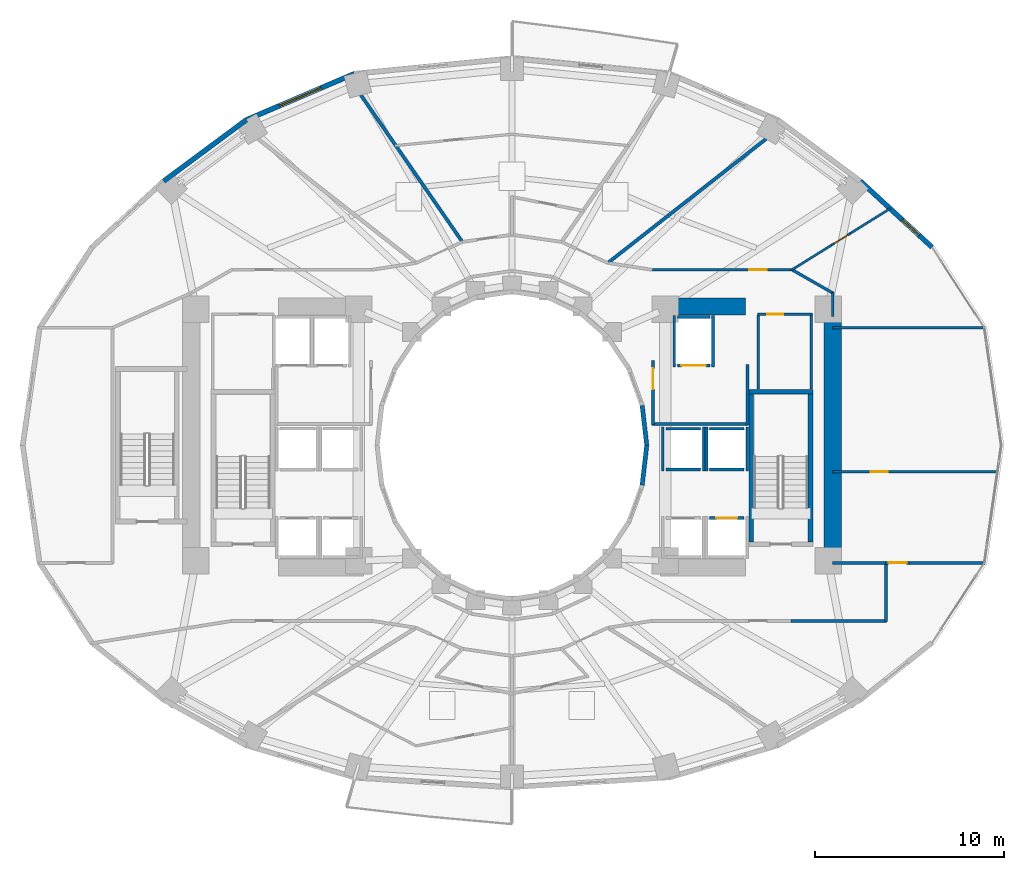
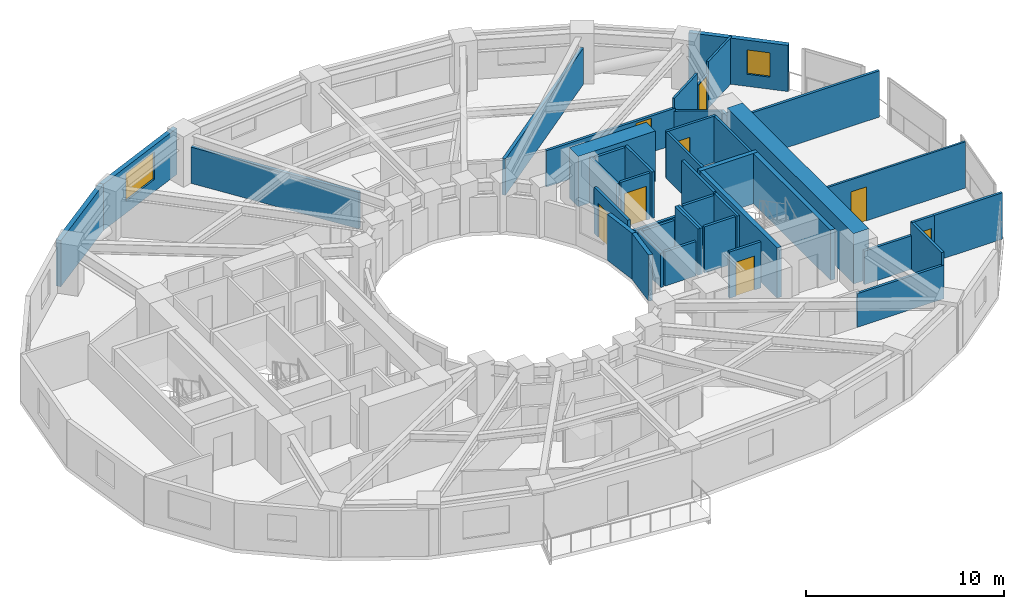
# One storey, part 10 of 14: 44 walls, 8 doors, 2 windows, 10 openings.
"""IFC4 building model written with IfcOpenShell, lengths in metres."""

from ifc_helpers import new_model, si_unit, direction, frame, frame_2d, origin, place, context, subcontext, project, spatial, rectangle, extrude, material, layer, layer_set, type_object, element, fill, save


model = new_model("IFC4")

# Units and contexts
model_context = context("Model", 3, precision=1e-05, world=origin(), true_north=direction((0.0, 1.0)))
body_context = subcontext(model_context, "Body", "Model", "MODEL_VIEW")
ifc_project = project(units=[si_unit("LENGTHUNIT", "METRE"), si_unit("AREAUNIT", "SQUARE_METRE"), si_unit("VOLUMEUNIT", "CUBIC_METRE"), si_unit("PLANEANGLEUNIT", "RADIAN"), si_unit("MASSUNIT", "GRAM", prefix="KILO")], contexts=[model_context])

# Site, building, storey
site_placement = place(None, origin())
site = spatial("IfcSite", under=ifc_project, at=site_placement, CompositionType="ELEMENT")
building_placement = place(site_placement, origin())
building = spatial("IfcBuilding", under=site, at=building_placement, Name="Solvane Sanctuary Tower", CompositionType="ELEMENT")
storey_placement = place(building_placement, frame((0.0, 0.0, 40.0)))
storey = spatial("IfcBuildingStorey", under=building, at=storey_placement, Name="L11", CompositionType="ELEMENT", Elevation=40.0)

# Walls
ifc_material_1 = material(Name="Concrete C70/85", Category="concrete")
ifc_layer_1 = layer(ifc_material_1, 0.89990234375, Name="Concrete C70/85")
ifc_layer_set_1 = layer_set([ifc_layer_1], Name="Concrete C70/85")
wall_type_1 = type_object("IfcWallType", Name="Wall W-CORE-900", PredefinedType="SHEAR", material=ifc_layer_set_1)
wall_1_placement = place(storey_placement, frame((48.949951171875, 17.050048828125, 0.0), z_axis=(0.0, 0.0, 1.0), x_axis=(0.0, 1.0, 0.0)))
element("IfcWall", 1, at=wall_1_placement, inside=storey, type_object=wall_type_1, Name="L11 Core Shear Wall EC-E", PredefinedType="SHEAR", context=body_context, shape_type="SweptSolid", body=[
    extrude(rectangle(XDim=12.800048828125, YDim=0.89990234375, at=frame_2d((6.39990234375, 0.0))), origin(), (0.0, 0.0, 1.0), 3.10009765625),
])
wall_2_placement = place(storey_placement, frame((39.85009765625, 30.35009765625, 0.0), z_axis=(0.0, 0.0, 1.0), x_axis=(1.0, 0.0, 0.0)))
element("IfcWall", 2, at=wall_2_placement, inside=storey, type_object=wall_type_1, Name="L11 Core Shear Wall EC-N", PredefinedType="SHEAR", context=body_context, shape_type="SweptSolid", body=[
    extrude(rectangle(XDim=4.5, YDim=0.89990234375, at=frame_2d((2.25, 0.0))), origin(), (0.0, 0.0, 1.0), 3.10009765625),
])
ifc_material_2 = material(Name="Acoustic Gypsum Partition Board")
ifc_layer_2 = layer(ifc_material_2, 0.14990234375, Name="Acoustic Gypsum Partition Board")
ifc_layer_set_2 = layer_set([ifc_layer_2], Name="Acoustic Gypsum Partition Board")
wall_type_2 = type_object("IfcWallType", Name="Wall W-CORR-150", PredefinedType="PARTITIONING", material=ifc_layer_set_2)
wall_3_placement = place(storey_placement, frame((39.39990234375, 24.1201171875, 0.0), z_axis=(0.0, 0.0, 1.0), x_axis=(1.0, 0.0, 0.0)))
element("IfcWall", 3, at=wall_3_placement, inside=storey, type_object=wall_type_2, Name="L11 East Firefighting Lobby South Wall", PredefinedType="PARTITIONING", context=body_context, shape_type="SweptSolid", body=[
    extrude(rectangle(XDim=5.080078125, YDim=0.14990234375, at=frame_2d((2.5400390625, 0.0))), origin(), (0.0, 0.0, 1.0), 2.1201171875),
])
wall_4_placement = place(storey_placement, frame((44.449951171875, 24.080078125, 0.0), z_axis=(0.0, 0.0, 1.0), x_axis=(0.0, 1.0, 0.0)))
element("IfcWall", 4, at=wall_4_placement, inside=storey, type_object=wall_type_2, Name="L11 East Firefighting Lobby East Wall", PredefinedType="PARTITIONING", context=body_context, shape_type="SweptSolid", body=[
    extrude(rectangle(XDim=3.199951171875, YDim=0.14990234375, at=frame_2d((1.60009765625, 0.0))), origin(), (0.0, 0.0, 1.0), 2.85498046875),
])

# Wall, opening, door
wall_5_placement = place(storey_placement, frame((39.449951171875, 24.080078125, 0.0), z_axis=(0.0, 0.0, 1.0), x_axis=(0.0, 1.0, 0.0)))
wall_5 = element("IfcWall", 5, at=wall_5_placement, inside=storey, type_object=wall_type_2, Name="L11 East Firefighting Lobby West Wall", PredefinedType="PARTITIONING", context=body_context, shape_type="SweptSolid", body=[
    extrude(rectangle(XDim=3.39990234375, YDim=0.14990234375, at=frame_2d((1.699951171875, 0.0))), origin(), (0.0, 0.0, 1.0), 2.85498046875),
])
opening_1_placement = place(wall_5_placement, frame((1.893798828125, 0.0, 0.0)))
opening_1 = element("IfcOpeningElement", 6, at=opening_1_placement, cuts=wall_5, Name="Opening D-L11-07", PredefinedType="OPENING", context=body_context, shape_type="SweptSolid", body=[
    extrude(rectangle(XDim=1.10009765625, YDim=2.10009765625, at=frame_2d((0.550048828125, 1.050048828125))), frame((0.0, 0.0849609375, 0.0), z_axis=(0.0, -1.0, 0.0), x_axis=(1.0, 0.0, 0.0)), (0.0, 0.0, 1.0), 0.169921875),
])
ifc_material_3 = material(Name="Architectural Stainless Steel 316", Category="steel")
door_type_1 = type_object("IfcDoorType", Name="Door D-FFL", OperationType="NOTDEFINED", PredefinedType="DOOR", material=ifc_material_3)
door_1_placement = place(opening_1_placement, origin())
door_1 = element("IfcDoor", 7, at=door_1_placement, inside=storey, type_object=door_type_1, Name="L11 East Firefighting Lobby Fire Door", OperationType="SINGLE_SWING_LEFT", OverallHeight=2.10009765625, OverallWidth=1.10009765625, PredefinedType="DOOR", context=body_context, shape_type="SweptSolid", body=[
    extrude(rectangle(XDim=1.10009765625, YDim=2.10009765625, at=frame_2d((0.550048828125, 1.050048828125))), frame((0.0, 0.02490234375, 0.0), z_axis=(0.0, -1.0, 0.0), x_axis=(1.0, 0.0, 0.0)), (0.0, 0.0, 1.0), 0.050048828125),
])
fill(opening_1, door_1)

# Wall
wall_6_placement = place(storey_placement, frame((48.949951171875, 16.788330078125, 0.0), z_axis=(0.0, 0.0, 1.0), x_axis=(1.0, 0.0, 0.0)))
element("IfcWall", 8, at=wall_6_placement, inside=storey, type_object=wall_type_2, Name="L11 East Shoulder South Wall", PredefinedType="PARTITIONING", context=body_context, shape_type="SweptSolid", body=[
    extrude(rectangle(XDim=2.79296875, YDim=0.14990234375, at=frame_2d((1.396484375, 0.0))), origin(), (0.0, 0.0, 1.0), 2.069091796875),
])

# Wall, opening, door
wall_7_placement = place(storey_placement, frame((51.742919921875, 16.788330078125, 0.0), z_axis=(0.0, 0.0, 1.0), x_axis=(1.0, 0.0, 0.0)))
wall_7 = element("IfcWall", 9, at=wall_7_placement, inside=storey, type_object=wall_type_2, Name="L11 East Shoulder South Wall", PredefinedType="PARTITIONING", context=body_context, shape_type="SweptSolid", body=[
    extrude(rectangle(XDim=1.27001953125, YDim=0.14990234375, at=frame_2d((0.635009765625, 0.0))), origin(), (0.0, 0.0, 1.0), 2.85498046875),
])
opening_2_placement = place(wall_7_placement, frame((0.159912109375, 0.0, 0.0)))
opening_2 = element("IfcOpeningElement", 10, at=opening_2_placement, cuts=wall_7, Name="Opening D-L11-10", PredefinedType="OPENING", context=body_context, shape_type="SweptSolid", body=[
    extrude(rectangle(XDim=0.949951171875, YDim=2.10009765625, at=frame_2d((0.47509765625, 1.050048828125))), frame((0.0, 0.0849609375, 0.0), z_axis=(0.0, -1.0, 0.0), x_axis=(1.0, 0.0, 0.0)), (0.0, 0.0, 1.0), 0.169921875),
])
ifc_material_4 = material(Name="Engineered Tropical Hardwood", Category="wood")
door_type_2 = type_object("IfcDoorType", Name="Door D-ROOM-950", OperationType="NOTDEFINED", PredefinedType="DOOR", material=ifc_material_4)
door_2_placement = place(opening_2_placement, origin())
door_2 = element("IfcDoor", 11, at=door_2_placement, inside=storey, type_object=door_type_2, Name="L11 East Shoulder South Door", OperationType="SINGLE_SWING_RIGHT", OverallHeight=2.10009765625, OverallWidth=0.949951171875, PredefinedType="DOOR", context=body_context, shape_type="SweptSolid", body=[
    extrude(rectangle(XDim=0.949951171875, YDim=2.10009765625, at=frame_2d((0.47509765625, 1.050048828125))), frame((0.0, 0.02490234375, 0.0), z_axis=(0.0, -1.0, 0.0), x_axis=(1.0, 0.0, 0.0)), (0.0, 0.0, 1.0), 0.050048828125),
])
fill(opening_2, door_2)

# Walls
wall_8_placement = place(storey_placement, frame((53.012939453125, 16.788330078125, 0.0), z_axis=(0.0, 0.0, 1.0), x_axis=(1.0, 0.0, 0.0)))
element("IfcWall", 12, at=wall_8_placement, inside=storey, type_object=wall_type_2, Name="L11 East Shoulder South Wall", PredefinedType="PARTITIONING", context=body_context, shape_type="SweptSolid", body=[
    extrude(rectangle(XDim=3.973388671875, YDim=0.14990234375, at=frame_2d((1.98681640625, 0.0))), origin(), (0.0, 0.0, 1.0), 2.85498046875),
])
wall_9_placement = place(storey_placement, frame((48.949951171875, 29.211669921875, 0.0), z_axis=(0.0, 0.0, 1.0), x_axis=(1.0, 0.0, 0.0)))
element("IfcWall", 13, at=wall_9_placement, inside=storey, type_object=wall_type_2, Name="L11 East Shoulder North Wall", PredefinedType="PARTITIONING", context=body_context, shape_type="SweptSolid", body=[
    extrude(rectangle(XDim=8.036376953125, YDim=0.14990234375, at=frame_2d((4.01806640625, 0.0))), origin(), (0.0, 0.0, 1.0), 2.85498046875),
])
wall_10_placement = place(storey_placement, frame((48.949951171875, 29.800048828125, 0.0), z_axis=(0.0, 0.0, 1.0), x_axis=(0.0, 1.0, 0.0)))
element("IfcWall", 14, at=wall_10_placement, inside=storey, type_object=wall_type_2, Name="L11 NE Corner Closer 1", PredefinedType="PARTITIONING", context=body_context, shape_type="SweptSolid", body=[
    extrude(rectangle(XDim=1.2900390625, YDim=0.14990234375, at=frame_2d((0.64501953125, 0.0))), origin(), (0.0, 0.0, 1.0), 2.069091796875),
])

# Wall, opening, door
wall_11_placement = place(storey_placement, frame((39.330078125, 32.280029296875, 0.0), z_axis=(0.0, 0.0, 1.0), x_axis=(1.0, 0.0, 0.0)))
wall_11 = element("IfcWall", 15, at=wall_11_placement, inside=storey, type_object=wall_type_2, Name="L11 NE Corner Corridor Wall", PredefinedType="PARTITIONING", context=body_context, shape_type="SweptSolid", body=[
    extrude(rectangle(XDim=7.52001953125, YDim=0.14990234375, at=frame_2d((3.760009765625, 0.0))), origin(), (0.0, 0.0, 1.0), 2.237060546875),
])
opening_3_placement = place(wall_11_placement, frame((5.219970703125, 0.0, 0.0)))
opening_3 = element("IfcOpeningElement", 16, at=opening_3_placement, cuts=wall_11, Name="Opening D-L11-14", PredefinedType="OPENING", context=body_context, shape_type="SweptSolid", body=[
    extrude(rectangle(XDim=0.89990234375, YDim=2.10009765625, at=frame_2d((0.449951171875, 1.050048828125))), frame((0.0, 0.0849609375, 0.0), z_axis=(0.0, -1.0, 0.0), x_axis=(1.0, 0.0, 0.0)), (0.0, 0.0, 1.0), 0.169921875),
])
door_type_3 = type_object("IfcDoorType", Name="Door D-WET-900", OperationType="NOTDEFINED", PredefinedType="DOOR", material=ifc_material_4)
door_3_placement = place(opening_3_placement, origin())
door_3 = element("IfcDoor", 17, at=door_3_placement, inside=storey, type_object=door_type_3, Name="L11 NE Corner Salon Door", OperationType="SINGLE_SWING_RIGHT", OverallHeight=2.10009765625, OverallWidth=0.89990234375, PredefinedType="DOOR", context=body_context, shape_type="SweptSolid", body=[
    extrude(rectangle(XDim=0.89990234375, YDim=2.10009765625, at=frame_2d((0.449951171875, 1.050048828125))), frame((0.0, 0.02490234375, 0.0), z_axis=(0.0, -1.0, 0.0), x_axis=(1.0, 0.0, 0.0)), (0.0, 0.0, 1.0), 0.050048828125),
])
fill(opening_3, door_3)

# Walls
wall_12_placement = place(storey_placement, frame((46.756591796875, 32.3046875, 0.0), z_axis=(0.0, 0.0, 1.0), x_axis=(0.867991349648, -0.496579315857, 0.0)))
element("IfcWall", 18, at=wall_12_placement, inside=storey, type_object=wall_type_2, Name="L11 NE Corner Wing Wall", PredefinedType="PARTITIONING", context=body_context, shape_type="SweptSolid", body=[
    extrude(rectangle(XDim=2.56689453125, YDim=0.14990234375, at=frame_2d((1.283447265625, 0.0))), origin(), (0.0, 0.0, 1.0), 2.069091796875),
])
wall_13_placement = place(storey_placement, frame((51.760009765625, 13.679931640625, 0.0), z_axis=(0.0, 0.0, 1.0), x_axis=(0.0, 1.0, 0.0)))
element("IfcWall", 19, at=wall_13_placement, inside=storey, type_object=wall_type_2, Name="L11 SE Corner Closer 1", PredefinedType="PARTITIONING", context=body_context, shape_type="SweptSolid", body=[
    extrude(rectangle(XDim=3.1484375, YDim=0.14990234375, at=frame_2d((1.57421875, 0.0))), origin(), (0.0, 0.0, 1.0), 2.85498046875),
])
wall_14_placement = place(storey_placement, frame((46.75, 13.719970703125, 0.0), z_axis=(0.0, 0.0, 1.0), x_axis=(1.0, 0.0, 0.0)))
element("IfcWall", 20, at=wall_14_placement, inside=storey, type_object=wall_type_2, Name="L11 SE Corner Wing Wall", PredefinedType="PARTITIONING", context=body_context, shape_type="SweptSolid", body=[
    extrude(rectangle(XDim=5.050048828125, YDim=0.14990234375, at=frame_2d((2.52490234375, 0.0))), origin(), (0.0, 0.0, 1.0), 2.069091796875),
])

# Wall, opening, window
ifc_material_5 = material(Name="Precast concrete C40/50", Category="concrete")
ifc_layer_3 = layer(ifc_material_5, 0.260009765625, Name="Precast concrete C40/50")
ifc_layer_set_3 = layer_set([ifc_layer_3], Name="Precast concrete C40/50")
wall_type_3 = type_object("IfcWallType", Name="Wall W-EXT-250", PredefinedType="STANDARD", material=ifc_layer_set_3)
wall_15_placement = place(storey_placement, frame((54.19384765625, 33.4755859375, 0.0), z_axis=(0.0, 0.0, 1.0), x_axis=(-0.735655109293, 0.67735630223, 0.0)))
wall_15 = element("IfcWall", 21, at=wall_15_placement, inside=storey, type_object=wall_type_3, Name="L11 Ceramic-Printed Facade Wall 02", PredefinedType="STANDARD", context=body_context, shape_type="SweptSolid", body=[
    extrude(rectangle(XDim=5.15087890625, YDim=0.260009765625, at=frame_2d((2.575439453125, 0.0))), origin(), (0.0, 0.0, 1.0), 2.85009765625),
])
opening_4_placement = place(wall_15_placement, frame((0.9287109375, 0.0, 0.75)))
opening_4 = element("IfcOpeningElement", 22, at=opening_4_placement, cuts=wall_15, Name="Opening WN-OPER-1200", PredefinedType="OPENING", context=body_context, shape_type="SweptSolid", body=[
    extrude(rectangle(XDim=1.199951171875, YDim=1.5, at=frame_2d((0.60009765625, 0.75))), frame((0.0, 0.139892578125, 0.0), z_axis=(0.0, -1.0, 0.0), x_axis=(1.0, 0.0, 0.0)), (0.0, 0.0, 1.0), 0.280029296875),
])
ifc_material_6 = material(Name="Dark Ceramic-Fritted Low-E Glass", Category="glass")
window_type_1 = type_object("IfcWindowType", Name="Window WN-OPER-1200", PartitioningType="SINGLE_PANEL", PredefinedType="WINDOW", material=ifc_material_6)
window_1_placement = place(opening_4_placement, origin())
window_1 = element("IfcWindow", 23, at=window_1_placement, inside=storey, type_object=window_type_1, Name="L11 Operable Facade Window 02", OverallHeight=1.5, OverallWidth=1.199951171875, PartitioningType="SINGLE_PANEL", PredefinedType="WINDOW", context=body_context, shape_type="SweptSolid", body=[
    extrude(rectangle(XDim=1.199951171875, YDim=1.5, at=frame_2d((0.60009765625, 0.75))), frame((0.0, 0.030029296875, 0.0), z_axis=(0.0, -1.0, 0.0), x_axis=(1.0, 0.0, 0.0)), (0.0, 0.0, 1.0), 0.06005859375),
])
fill(opening_4, window_1)

wall_16_placement = place(storey_placement, frame((23.668212890625, 42.63623046875, 0.0), z_axis=(0.0, 0.0, 1.0), x_axis=(-0.919612132394, -0.39282760335, 0.0)))
wall_16 = element("IfcWall", 24, at=wall_16_placement, inside=storey, type_object=wall_type_3, Name="L11 Ceramic-Printed Facade Wall 07", PredefinedType="STANDARD", context=body_context, shape_type="SweptSolid", body=[
    extrude(rectangle(XDim=6.20947265625, YDim=0.260009765625, at=frame_2d((3.104736328125, 0.0))), origin(), (0.0, 0.0, 1.0), 2.85009765625),
])
opening_5_placement = place(wall_16_placement, frame((1.90478515625, 0.0, 0.75)))
opening_5 = element("IfcOpeningElement", 25, at=opening_5_placement, cuts=wall_16, Name="Opening WN-RIB-2400", PredefinedType="OPENING", context=body_context, shape_type="SweptSolid", body=[
    extrude(rectangle(XDim=2.39990234375, YDim=1.699951171875, at=frame_2d((1.199951171875, 0.85009765625))), frame((0.0, 0.139892578125, 0.0), z_axis=(0.0, -1.0, 0.0), x_axis=(1.0, 0.0, 0.0)), (0.0, 0.0, 1.0), 0.280029296875),
])
window_type_2 = type_object("IfcWindowType", Name="Window WN-RIB-2400", PartitioningType="SINGLE_PANEL", PredefinedType="WINDOW", material=ifc_material_6)
window_2_placement = place(opening_5_placement, origin())
window_2 = element("IfcWindow", 26, at=window_2_placement, inside=storey, type_object=window_type_2, Name="L11 Operable Facade Window 07", OverallHeight=1.699951171875, OverallWidth=2.39990234375, PartitioningType="SINGLE_PANEL", PredefinedType="WINDOW", context=body_context, shape_type="SweptSolid", body=[
    extrude(rectangle(XDim=2.39990234375, YDim=1.699951171875, at=frame_2d((1.199951171875, 0.85009765625))), frame((0.0, 0.030029296875, 0.0), z_axis=(0.0, -1.0, 0.0), x_axis=(1.0, 0.0, 0.0)), (0.0, 0.0, 1.0), 0.06005859375),
])
fill(opening_5, window_2)

# Walls
wall_17_placement = place(storey_placement, frame((17.9580078125, 40.197021484375, 0.0), z_axis=(0.0, 0.0, 1.0), x_axis=(-0.803477531792, -0.595335078679, 0.0)))
element("IfcWall", 27, at=wall_17_placement, inside=storey, type_object=wall_type_3, Name="L11 Ceramic-Printed Facade Wall 08", PredefinedType="STANDARD", context=body_context, shape_type="SweptSolid", body=[
    extrude(rectangle(XDim=5.4296875, YDim=0.260009765625, at=frame_2d((2.71484375, 0.0))), origin(), (0.0, 0.0, 1.0), 2.85009765625),
])
ifc_layer_4 = layer(ifc_material_5, 0.22998046875, Name="Precast concrete C40/50")
ifc_layer_set_4 = layer_set([ifc_layer_4], Name="Precast concrete C40/50")
wall_type_4 = type_object("IfcWallType", Name="Wall W-EXT-SP220", PredefinedType="STANDARD", material=ifc_layer_set_4)
for number, where, z_axis, x_axis, name in (
    (28, (39.1201171875, 23.0, 0.0), (0.0, 0.0, 1.0), (-0.114711713601, 0.993398823617, 0.0), "L11 Central Light-Well Wall 00"),
    (29, (38.87744140625, 20.8984375, 0.0), (0.0, 0.0, 1.0), (0.114711713601, 0.993398823617, 0.0), "L11 Central Light-Well Wall 23"),
):
    element("IfcWall", number, at=place(storey_placement, frame(where, z_axis=z_axis, x_axis=x_axis)), inside=storey, type_object=wall_type_4, Name=name, PredefinedType="STANDARD", context=body_context, shape_type="SweptSolid", body=[
        extrude(rectangle(XDim=2.115478515625, YDim=0.22998046875, at=frame_2d((1.0576171875, 0.0))), origin(), (0.0, 0.0, 1.0), 2.840087890625),
    ])

# Wall, opening, door
ifc_layer_5 = layer(ifc_material_2, 0.1201171875, Name="Acoustic Gypsum Partition Board")
ifc_layer_set_5 = layer_set([ifc_layer_5], Name="Acoustic Gypsum Partition Board")
wall_type_5 = type_object("IfcWallType", Name="Wall W-MOV-100", PredefinedType="MOVABLE", material=ifc_layer_set_5)
wall_18_placement = place(storey_placement, frame((48.949951171875, 21.60009765625, 0.0), z_axis=(0.0, 0.0, 1.0), x_axis=(1.0, 0.0, 0.0)))
wall_18 = element("IfcWall", 30, at=wall_18_placement, inside=storey, type_object=wall_type_5, Name="L11 East Suite Partition", PredefinedType="MOVABLE", context=body_context, shape_type="SweptSolid", body=[
    extrude(rectangle(XDim=8.668701171875, YDim=0.1201171875, at=frame_2d((4.33447265625, 0.0))), origin(), (0.0, 0.0, 1.0), 2.85498046875),
])
opening_6_placement = place(wall_18_placement, frame((2.0, 0.0, 0.0)))
opening_6 = element("IfcOpeningElement", 31, at=opening_6_placement, cuts=wall_18, Name="Opening D-L11-11", PredefinedType="OPENING", context=body_context, shape_type="SweptSolid", body=[
    extrude(rectangle(XDim=0.89990234375, YDim=2.10009765625, at=frame_2d((0.449951171875, 1.050048828125))), frame((0.0, 0.070068359375, 0.0), z_axis=(0.0, -1.0, 0.0), x_axis=(1.0, 0.0, 0.0)), (0.0, 0.0, 1.0), 0.14013671875),
])
door_4_placement = place(opening_6_placement, origin())
door_4 = element("IfcDoor", 32, at=door_4_placement, inside=storey, type_object=door_type_3, Name="L11 East Suite Internal Door", OperationType="SINGLE_SWING_LEFT", OverallHeight=2.10009765625, OverallWidth=0.89990234375, PredefinedType="DOOR", context=body_context, shape_type="SweptSolid", body=[
    extrude(rectangle(XDim=0.89990234375, YDim=2.10009765625, at=frame_2d((0.449951171875, 1.050048828125))), frame((0.0, 0.02490234375, 0.0), z_axis=(0.0, -1.0, 0.0), x_axis=(1.0, 0.0, 0.0)), (0.0, 0.0, 1.0), 0.050048828125),
])
fill(opening_6, door_4)

# Wall
wall_19_placement = place(storey_placement, frame((46.757568359375, 32.25341796875, 0.0), z_axis=(0.0, 0.0, 1.0), x_axis=(0.848408422278, 0.529342185177, 0.0)))
element("IfcWall", 33, at=wall_19_placement, inside=storey, type_object=wall_type_5, Name="L11 NE Corner Suite Partition", PredefinedType="MOVABLE", context=body_context, shape_type="SweptSolid", body=[
    extrude(rectangle(XDim=2.506591796875, YDim=0.1201171875, at=frame_2d((1.25341796875, 0.0))), origin(), (0.0, 0.0, 1.0), 2.85498046875),
])

# Wall, opening, door
wall_20_placement = place(storey_placement, frame((48.88427734375, 33.580322265625, 0.0), z_axis=(0.0, 0.0, 1.0), x_axis=(0.848396621262, 0.529361098903, 0.0)))
wall_20 = element("IfcWall", 34, at=wall_20_placement, inside=storey, type_object=wall_type_5, Name="L11 NE Corner Suite Partition", PredefinedType="MOVABLE", context=body_context, shape_type="SweptSolid", body=[
    extrude(rectangle(XDim=1.170166015625, YDim=0.1201171875, at=frame_2d((0.5849609375, 0.0))), origin(), (0.0, 0.0, 1.0), 2.110107421875),
])
opening_7_placement = place(wall_20_placement, frame((0.159912109375, 0.0, 0.0)))
opening_7 = element("IfcOpeningElement", 35, at=opening_7_placement, cuts=wall_20, Name="Opening D-L11-13", PredefinedType="OPENING", context=body_context, shape_type="SweptSolid", body=[
    extrude(rectangle(XDim=0.85009765625, YDim=2.050048828125, at=frame_2d((0.425048828125, 1.02490234375))), frame((0.0, 0.070068359375, 0.0), z_axis=(0.0, -1.0, 0.0), x_axis=(1.0, 0.0, 0.0)), (0.0, 0.0, 1.0), 0.14013671875),
])
door_type_4 = type_object("IfcDoorType", Name="Door D-RISER", OperationType="NOTDEFINED", PredefinedType="DOOR", material=ifc_material_3)
door_5_placement = place(opening_7_placement, origin())
door_5 = element("IfcDoor", 36, at=door_5_placement, inside=storey, type_object=door_type_4, Name="L11 NE Corner Suite Door", OperationType="SINGLE_SWING_LEFT", OverallHeight=2.050048828125, OverallWidth=0.85009765625, PredefinedType="DOOR", context=body_context, shape_type="SweptSolid", body=[
    extrude(rectangle(XDim=0.85009765625, YDim=2.050048828125, at=frame_2d((0.425048828125, 1.02490234375))), frame((0.0, 0.02490234375, 0.0), z_axis=(0.0, -1.0, 0.0), x_axis=(1.0, 0.0, 0.0)), (0.0, 0.0, 1.0), 0.050048828125),
])
fill(opening_7, door_5)

# Wall
wall_21_placement = place(storey_placement, frame((49.876953125, 34.19970703125, 0.0), z_axis=(0.0, 0.0, 1.0), x_axis=(0.848424873637, 0.529315816687, 0.0)))
element("IfcWall", 37, at=wall_21_placement, inside=storey, type_object=wall_type_5, Name="L11 NE Corner Suite Partition", PredefinedType="MOVABLE", context=body_context, shape_type="SweptSolid", body=[
    extrude(rectangle(XDim=2.50634765625, YDim=0.1201171875, at=frame_2d((1.253173828125, 0.0))), origin(), (0.0, 0.0, 1.0), 2.85498046875),
])

# Wall, opening, door
ifc_material_7 = material(Name="Concrete C50/60", Category="concrete")
ifc_layer_6 = layer(ifc_material_7, 0.14990234375, Name="Concrete C50/60")
ifc_layer_set_6 = layer_set([ifc_layer_6], Name="Concrete C50/60")
wall_type_6 = type_object("IfcWallType", Name="Wall W-SHAFT-150", PredefinedType="SOLIDWALL", material=ifc_layer_set_6)
wall_22_placement = place(storey_placement, frame((42.43994140625, 19.159912109375, 0.0), z_axis=(0.0, 0.0, 1.0), x_axis=(1.0, 0.0, 0.0)))
wall_22 = element("IfcWall", 38, at=wall_22_placement, inside=storey, type_object=wall_type_6, Name="L11 PL-4 Lift Shaft Wall F", PredefinedType="SOLIDWALL", context=body_context, shape_type="SweptSolid", body=[
    extrude(rectangle(XDim=1.820068359375, YDim=0.14990234375, at=frame_2d((0.91015625, 0.0))), origin(), (0.0, 0.0, 1.0), 2.85498046875),
])
opening_8_placement = place(wall_22_placement, frame((0.360107421875, 0.0, 0.0)))
opening_8 = element("IfcOpeningElement", 39, at=opening_8_placement, cuts=wall_22, Name="Opening LD-L11-04", PredefinedType="OPENING", context=body_context, shape_type="SweptSolid", body=[
    extrude(rectangle(XDim=1.10009765625, YDim=2.10009765625, at=frame_2d((0.550048828125, 1.050048828125))), frame((0.0, 0.0849609375, 0.0), z_axis=(0.0, -1.0, 0.0), x_axis=(1.0, 0.0, 0.0)), (0.0, 0.0, 1.0), 0.169921875),
])
door_type_5 = type_object("IfcDoorType", Name="Door LD-PASS-1100", OperationType="NOTDEFINED", PredefinedType="DOOR", material=ifc_material_3)
door_6_placement = place(opening_8_placement, origin())
door_6 = element("IfcDoor", 40, at=door_6_placement, inside=storey, type_object=door_type_5, Name="L11 PL-4 Lift Landing Door", OperationType="DOUBLE_DOOR_SLIDING", OverallHeight=2.10009765625, OverallWidth=1.10009765625, PredefinedType="DOOR", context=body_context, shape_type="SweptSolid", body=[
    extrude(rectangle(XDim=1.10009765625, YDim=2.10009765625, at=frame_2d((0.550048828125, 1.050048828125))), frame((0.0, 0.02490234375, 0.0), z_axis=(0.0, -1.0, 0.0), x_axis=(1.0, 0.0, 0.0)), (0.0, 0.0, 1.0), 0.050048828125),
])
fill(opening_8, door_6)

# Walls
for number, where, z_axis, x_axis, name in (
    (41, (42.43994140625, 21.719970703125, 0.0), (0.0, 0.0, 1.0), (1.0, 0.0, 0.0), "L11 PM-2 Lift Shaft Wall F"),
    (42, (42.43994140625, 23.8798828125, 0.0), (0.0, 0.0, 1.0), (1.0, 0.0, 0.0), "L11 PM-2 Lift Shaft Wall B"),
):
    element("IfcWall", number, at=place(storey_placement, frame(where, z_axis=z_axis, x_axis=x_axis)), inside=storey, type_object=wall_type_6, Name=name, PredefinedType="SOLIDWALL", context=body_context, shape_type="SweptSolid", body=[
        extrude(rectangle(XDim=1.820068359375, YDim=0.14990234375, at=frame_2d((0.91015625, 0.0))), origin(), (0.0, 0.0, 1.0), 2.85498046875),
    ])
for number, where, z_axis, x_axis, name in (
    (43, (42.27001953125, 21.639892578125, 0.0), (0.0, 0.0, 1.0), (0.0, 1.0, 0.0), "L11 PM-2 Lift Shaft Wall S1"),
    (44, (44.429931640625, 21.639892578125, 0.0), (0.0, 0.0, 1.0), (0.0, 1.0, 0.0), "L11 PM-2 Lift Shaft Wall S2"),
):
    element("IfcWall", number, at=place(storey_placement, frame(where, z_axis=z_axis, x_axis=x_axis)), inside=storey, type_object=wall_type_6, Name=name, PredefinedType="SOLIDWALL", context=body_context, shape_type="SweptSolid", body=[
        extrude(rectangle(XDim=2.320068359375, YDim=0.14990234375, at=frame_2d((1.16015625, 0.0))), origin(), (0.0, 0.0, 1.0), 2.85498046875),
    ])
for number, where, z_axis, x_axis, name in (
    (45, (40.139892578125, 21.719970703125, 0.0), (0.0, 0.0, 1.0), (1.0, 0.0, 0.0), "L11 PH-2 Lift Shaft Wall F"),
    (46, (40.139892578125, 23.8798828125, 0.0), (0.0, 0.0, 1.0), (1.0, 0.0, 0.0), "L11 PH-2 Lift Shaft Wall B"),
):
    element("IfcWall", number, at=place(storey_placement, frame(where, z_axis=z_axis, x_axis=x_axis)), inside=storey, type_object=wall_type_6, Name=name, PredefinedType="SOLIDWALL", context=body_context, shape_type="SweptSolid", body=[
        extrude(rectangle(XDim=1.820068359375, YDim=0.14990234375, at=frame_2d((0.91015625, 0.0))), origin(), (0.0, 0.0, 1.0), 2.1201171875),
    ])
wall_23_placement = place(storey_placement, frame((39.969970703125, 21.639892578125, 0.0), z_axis=(0.0, 0.0, 1.0), x_axis=(0.0, 1.0, 0.0)))
element("IfcWall", 47, at=wall_23_placement, inside=storey, type_object=wall_type_6, Name="L11 PH-2 Lift Shaft Wall S1", PredefinedType="SOLIDWALL", context=body_context, shape_type="SweptSolid", body=[
    extrude(rectangle(XDim=2.320068359375, YDim=0.14990234375, at=frame_2d((1.16015625, 0.0))), origin(), (0.0, 0.0, 1.0), 2.1201171875),
])
wall_24_placement = place(storey_placement, frame((42.1298828125, 21.639892578125, 0.0), z_axis=(0.0, 0.0, 1.0), x_axis=(0.0, 1.0, 0.0)))
element("IfcWall", 48, at=wall_24_placement, inside=storey, type_object=wall_type_6, Name="L11 PH-2 Lift Shaft Wall S2", PredefinedType="SOLIDWALL", context=body_context, shape_type="SweptSolid", body=[
    extrude(rectangle(XDim=2.320068359375, YDim=0.14990234375, at=frame_2d((1.16015625, 0.0))), origin(), (0.0, 0.0, 1.0), 2.85498046875),
])

# Wall, opening, door
wall_25_placement = place(storey_placement, frame((40.739990234375, 27.219970703125, 0.0), z_axis=(0.0, 0.0, 1.0), x_axis=(1.0, 0.0, 0.0)))
wall_25 = element("IfcWall", 49, at=wall_25_placement, inside=storey, type_object=wall_type_6, Name="L11 FFL-2 Lift Shaft Wall F", PredefinedType="SOLIDWALL", context=body_context, shape_type="SweptSolid", body=[
    extrude(rectangle(XDim=1.719970703125, YDim=0.14990234375, at=frame_2d((0.85986328125, 0.0))), origin(), (0.0, 0.0, 1.0), 2.85498046875),
])
opening_9_placement = place(wall_25_placement, frame((0.2099609375, 0.0, 0.0)))
opening_9 = element("IfcOpeningElement", 50, at=opening_9_placement, cuts=wall_25, Name="Opening LD-L11-07", PredefinedType="OPENING", context=body_context, shape_type="SweptSolid", body=[
    extrude(rectangle(XDim=1.300048828125, YDim=2.10009765625, at=frame_2d((0.64990234375, 1.050048828125))), frame((0.0, 0.0849609375, 0.0), z_axis=(0.0, -1.0, 0.0), x_axis=(1.0, 0.0, 0.0)), (0.0, 0.0, 1.0), 0.169921875),
])
door_type_6 = type_object("IfcDoorType", Name="Door LD-FFL-1300", OperationType="NOTDEFINED", PredefinedType="DOOR", material=ifc_material_3)
door_7_placement = place(opening_9_placement, origin())
door_7 = element("IfcDoor", 51, at=door_7_placement, inside=storey, type_object=door_type_6, Name="L11 FFL-2 Lift Landing Door", OperationType="DOUBLE_DOOR_SLIDING", OverallHeight=2.10009765625, OverallWidth=1.300048828125, PredefinedType="DOOR", context=body_context, shape_type="SweptSolid", body=[
    extrude(rectangle(XDim=1.300048828125, YDim=2.10009765625, at=frame_2d((0.64990234375, 1.050048828125))), frame((0.0, 0.02490234375, 0.0), z_axis=(0.0, -1.0, 0.0), x_axis=(1.0, 0.0, 0.0)), (0.0, 0.0, 1.0), 0.050048828125),
])
fill(opening_9, door_7)

# Walls
wall_26_placement = place(storey_placement, frame((40.739990234375, 29.780029296875, 0.0), z_axis=(0.0, 0.0, 1.0), x_axis=(1.0, 0.0, 0.0)))
element("IfcWall", 52, at=wall_26_placement, inside=storey, type_object=wall_type_6, Name="L11 FFL-2 Lift Shaft Wall B", PredefinedType="SOLIDWALL", context=body_context, shape_type="SweptSolid", body=[
    extrude(rectangle(XDim=1.719970703125, YDim=0.14990234375, at=frame_2d((0.85986328125, 0.0))), origin(), (0.0, 0.0, 1.0), 2.85498046875),
])
for number, where, z_axis, x_axis, name in (
    (53, (40.570068359375, 27.139892578125, 0.0), (0.0, 0.0, 1.0), (0.0, 1.0, 0.0), "L11 FFL-2 Lift Shaft Wall S1"),
    (54, (42.6298828125, 27.139892578125, 0.0), (0.0, 0.0, 1.0), (0.0, 1.0, 0.0), "L11 FFL-2 Lift Shaft Wall S2"),
):
    element("IfcWall", number, at=place(storey_placement, frame(where, z_axis=z_axis, x_axis=x_axis)), inside=storey, type_object=wall_type_6, Name=name, PredefinedType="SOLIDWALL", context=body_context, shape_type="SweptSolid", body=[
        extrude(rectangle(XDim=2.72021484375, YDim=0.14990234375, at=frame_2d((1.360107421875, 0.0))), origin(), (0.0, 0.0, 1.0), 2.85498046875),
    ])
ifc_layer_7 = layer(ifc_material_7, 0.25, Name="Concrete C50/60")
ifc_layer_set_7 = layer_set([ifc_layer_7], Name="Concrete C50/60")
wall_type_7 = type_object("IfcWallType", Name="Wall W-SHAFT-250", PredefinedType="SOLIDWALL", material=ifc_layer_set_7)
wall_27_placement = place(storey_placement, frame((44.52490234375, 25.830078125, 0.0), z_axis=(0.0, 0.0, 1.0), x_axis=(1.0, 0.0, 0.0)))
element("IfcWall", 55, at=wall_27_placement, inside=storey, type_object=wall_type_7, Name="L11 ST-2 Load-Bearing Shaft Wall N", PredefinedType="SOLIDWALL", context=body_context, shape_type="SweptSolid", body=[
    extrude(rectangle(XDim=3.3701171875, YDim=0.25, at=frame_2d((1.68505859375, 0.0))), origin(), (0.0, 0.0, 1.0), 3.10009765625),
])
for number, where, z_axis, x_axis, name in (
    (56, (44.64990234375, 17.89501953125, 0.0), (0.0, 0.0, 1.0), (0.0, 1.0, 0.0), "L11 ST-2 Load-Bearing Shaft Wall W"),
    (57, (47.77001953125, 17.89501953125, 0.0), (0.0, 0.0, 1.0), (0.0, 1.0, 0.0), "L11 ST-2 Load-Bearing Shaft Wall E"),
):
    element("IfcWall", number, at=place(storey_placement, frame(where, z_axis=z_axis, x_axis=x_axis)), inside=storey, type_object=wall_type_7, Name=name, PredefinedType="SOLIDWALL", context=body_context, shape_type="SweptSolid", body=[
        extrude(rectangle(XDim=7.81005859375, YDim=0.25, at=frame_2d((3.905029296875, 0.0))), origin(), (0.0, 0.0, 1.0), 3.10009765625),
    ])
ifc_layer_8 = layer(ifc_material_2, 0.179931640625, Name="Acoustic Gypsum Partition Board")
ifc_layer_set_8 = layer_set([ifc_layer_8], Name="Acoustic Gypsum Partition Board")
wall_type_8 = type_object("IfcWallType", Name="Wall W-UNIT-180", PredefinedType="PARTITIONING", material=ifc_layer_set_8)
wall_28_placement = place(storey_placement, frame((37.1083984375, 32.6728515625, 0.0), z_axis=(0.0, 0.0, 1.0), x_axis=(0.78700868866, 0.616941912966, 0.0)))
element("IfcWall", 58, at=wall_28_placement, inside=storey, type_object=wall_type_8, Name="L11 Radial Compartment Wall 060", PredefinedType="PARTITIONING", context=body_context, shape_type="SweptSolid", body=[
    extrude(rectangle(XDim=10.5830078125, YDim=0.179931640625, at=frame_2d((5.29150390625, 0.0))), origin(), (0.0, 0.0, 1.0), 2.237060546875),
])
wall_29_placement = place(storey_placement, frame((29.346923828125, 33.7958984375, 0.0), z_axis=(0.0, 0.0, 1.0), x_axis=(-0.568631434817, 0.822592421153, 0.0)))
element("IfcWall", 59, at=wall_29_placement, inside=storey, type_object=wall_type_8, Name="L11 Radial Compartment Wall 105", PredefinedType="PARTITIONING", context=body_context, shape_type="SweptSolid", body=[
    extrude(rectangle(XDim=9.39404296875, YDim=0.179931640625, at=frame_2d((4.697021484375, 0.0))), origin(), (0.0, 0.0, 1.0), 2.237060546875),
])

# Wall, opening, door
ifc_layer_9 = layer(ifc_material_2, 0.139892578125, Name="Acoustic Gypsum Partition Board")
ifc_layer_set_9 = layer_set([ifc_layer_9], Name="Acoustic Gypsum Partition Board")
wall_type_9 = type_object("IfcWallType", Name="Wall W-WET-140", PredefinedType="PLUMBINGWALL", material=ifc_layer_set_9)
wall_30_placement = place(storey_placement, frame((44.97998046875, 29.919921875, 0.0), z_axis=(0.0, 0.0, 1.0), x_axis=(1.0, 0.0, 0.0)))
wall_30 = element("IfcWall", 60, at=wall_30_placement, inside=storey, type_object=wall_type_9, Name="L11 Core Service Front Wall KE0", PredefinedType="PLUMBINGWALL", context=body_context, shape_type="SweptSolid", body=[
    extrude(rectangle(XDim=2.89990234375, YDim=0.139892578125, at=frame_2d((1.449951171875, 0.0))), origin(), (0.0, 0.0, 1.0), 2.85498046875),
])
opening_10_placement = place(wall_30_placement, frame((0.515869140625, 0.0, 0.0)))
opening_10 = element("IfcOpeningElement", 61, at=opening_10_placement, cuts=wall_30, Name="Opening D-L11-09", PredefinedType="OPENING", context=body_context, shape_type="SweptSolid", body=[
    extrude(rectangle(XDim=0.85009765625, YDim=2.050048828125, at=frame_2d((0.425048828125, 1.02490234375))), frame((0.0, 0.079833984375, 0.0), z_axis=(0.0, -1.0, 0.0), x_axis=(1.0, 0.0, 0.0)), (0.0, 0.0, 1.0), 0.159912109375),
])
door_8_placement = place(opening_10_placement, origin())
door_8 = element("IfcDoor", 62, at=door_8_placement, inside=storey, type_object=door_type_4, Name="L11 Core Service Room Door KE0-1", OperationType="SINGLE_SWING_LEFT", OverallHeight=2.050048828125, OverallWidth=0.85009765625, PredefinedType="DOOR", context=body_context, shape_type="SweptSolid", body=[
    extrude(rectangle(XDim=0.85009765625, YDim=2.050048828125, at=frame_2d((0.425048828125, 1.02490234375))), frame((0.0, 0.02490234375, 0.0), z_axis=(0.0, -1.0, 0.0), x_axis=(1.0, 0.0, 0.0)), (0.0, 0.0, 1.0), 0.050048828125),
])
fill(opening_10, door_8)

# Walls
for number, where, z_axis, x_axis, name in (
    (63, (45.02001953125, 25.97998046875, 0.0), (0.0, 0.0, 1.0), (0.0, 1.0, 0.0), "L11 Core Service Side Wall KE0-1"),
    (64, (47.820068359375, 25.97998046875, 0.0), (0.0, 0.0, 1.0), (0.0, 1.0, 0.0), "L11 Core Service Side Wall KE0-2"),
):
    element("IfcWall", number, at=place(storey_placement, frame(where, z_axis=z_axis, x_axis=x_axis)), inside=storey, type_object=wall_type_9, Name=name, PredefinedType="PLUMBINGWALL", context=body_context, shape_type="SweptSolid", body=[
        extrude(rectangle(XDim=3.880126953125, YDim=0.139892578125, at=frame_2d((1.93994140625, 0.0))), origin(), (0.0, 0.0, 1.0), 2.85498046875),
    ])

save(model, "model.ifc")
